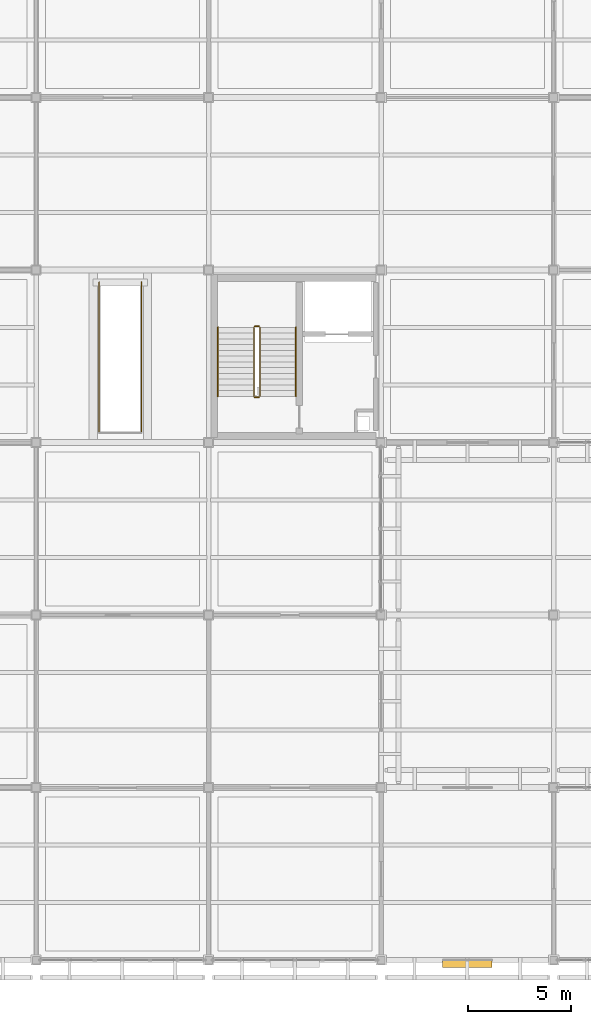
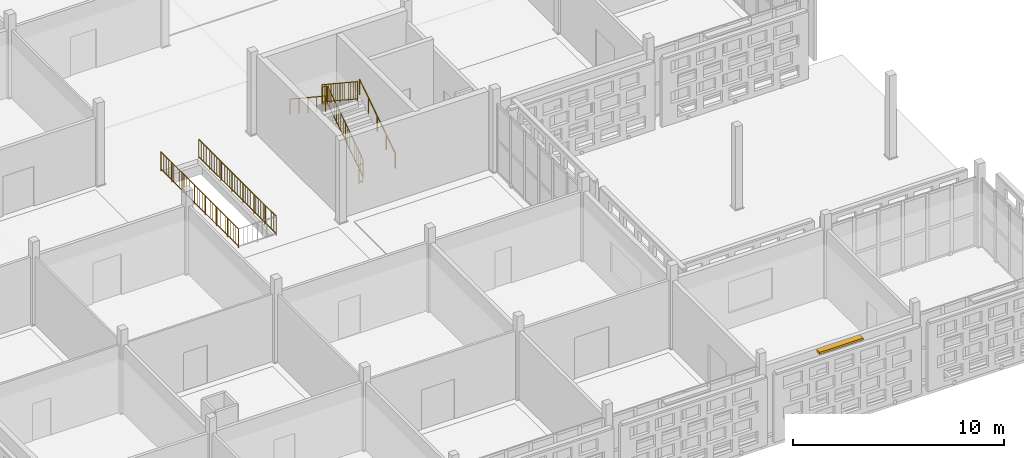
# One storey, part 184 of 203: 8 railings, 1 shading device.
"""IFC4 building model written with IfcOpenShell, lengths in metres."""

from ifc_helpers import new_model, si_unit, direction, frame, origin, origin_2d, place, context, subcontext, project, spatial, rectangle, circle, extrude, material, layer, layer_set, type_object, element, save


model = new_model("IFC4")

# Units and contexts
model_context = context("Model", 3, precision=1e-05, world=origin(), true_north=direction((0.0, 1.0)))
body_context = subcontext(model_context, "Body", "Model", "MODEL_VIEW")
ifc_project = project(units=[si_unit("LENGTHUNIT", "METRE"), si_unit("AREAUNIT", "SQUARE_METRE"), si_unit("VOLUMEUNIT", "CUBIC_METRE"), si_unit("PLANEANGLEUNIT", "RADIAN"), si_unit("MASSUNIT", "GRAM", prefix="KILO")], contexts=[model_context])

# Site, building, storey
site_placement = place(None, origin())
site = spatial("IfcSite", under=ifc_project, at=site_placement, CompositionType="ELEMENT")
building_placement = place(site_placement, origin())
building = spatial("IfcBuilding", under=site, at=building_placement, Name="Varnapada Polytechnic", CompositionType="ELEMENT")
storey_placement = place(building_placement, frame((0.0, 0.0, 4.800048828125)))
storey = spatial("IfcBuildingStorey", under=building, at=storey_placement, Name="L01", CompositionType="ELEMENT", Elevation=4.800048828125)

# Shading device
ifc_material_1 = material(Name="Anodised aluminium", Category="aluminium")
ifc_layer = layer(ifc_material_1, 0.35009765625)
ifc_layer_set = layer_set([ifc_layer], Name="Anodised aluminium")
shading_device_type = type_object("IfcShadingDeviceType", Name="Solar Louvre LVR-01", PredefinedType="JALOUSIE", material=ifc_layer_set)
shading_device_placement = place(storey_placement, frame((163.800048828125, -0.179931640625, 3.760009765625), z_axis=(0.0, 0.0, 1.0), x_axis=(-1.0, 0.0, 0.0)))
element("IfcShadingDevice", 1, at=shading_device_placement, inside=storey, type_object=shading_device_type, Name="L01 aluminium sun louvre 130", PredefinedType="JALOUSIE", context=body_context, shape_type="SweptSolid", body=[
    extrude(rectangle(XDim=2.39990234375, YDim=0.340087890625, at=origin_2d()), origin(), (0.0, 0.0, 1.0), 0.1201171875),
])

# Railings
ifc_material_2 = material(Name="Brushed Stainless Steel 316", Category="steel")
railing_type_1 = type_object("IfcRailingType", Name="Stair Wall Handrail SHR-01", PredefinedType="HANDRAIL", material=ifc_material_2)
railing_1_placement = place(storey_placement, frame((155.449951171875, 27.449951171875, 0.1845703125)))
element("IfcRailing", 2, at=railing_1_placement, inside=storey, type_object=railing_type_1, Name="L01 ST-6 stair handrail 1", PredefinedType="HANDRAIL", context=body_context, shape_type="SweptSolid", body=[
    extrude(circle(Radius=0.02392578125, at=origin_2d()), frame((0.0, 0.0, 0.8759765625), z_axis=(0.0, 0.834876476806, 0.550437342915), x_axis=(-1.0, 0.0, 0.0)), (0.0, 0.0, 1.0), 4.024658203125),
    extrude(circle(Radius=0.02099609375, at=origin_2d()), origin(), (0.0, 0.0, 1.0), 0.851806640625),
    extrude(circle(Radius=0.02099609375, at=origin_2d()), frame((0.0, 0.840087890625, 0.5537109375)), (0.0, 0.0, 1.0), 0.851806640625),
    extrude(circle(Radius=0.02099609375, at=origin_2d()), frame((0.0, 1.68017578125, 1.107666015625)), (0.0, 0.0, 1.0), 0.851806640625),
    extrude(circle(Radius=0.02099609375, at=origin_2d()), frame((0.0, 2.52001953125, 1.66162109375)), (0.0, 0.0, 1.0), 0.851806640625),
    extrude(circle(Radius=0.02099609375, at=origin_2d()), frame((0.0, 3.360107421875, 2.21533203125)), (0.0, 0.0, 1.0), 0.851806640625),
])
railing_2_placement = place(storey_placement, frame((151.64990234375, 30.81005859375, 2.58447265625)))
element("IfcRailing", 3, at=railing_2_placement, inside=storey, type_object=railing_type_1, Name="L01 ST-6 stair handrail 2", PredefinedType="HANDRAIL", context=body_context, shape_type="SweptSolid", body=[
    extrude(circle(Radius=0.02392578125, at=origin_2d()), frame((0.0, 0.0, 0.8759765625), z_axis=(0.0, -0.834848600103, 0.550479622607), x_axis=(1.0, 0.0, 0.0)), (0.0, 0.0, 1.0), 4.02490234375),
    extrude(circle(Radius=0.02099609375, at=origin_2d()), origin(), (0.0, 0.0, 1.0), 0.851806640625),
    extrude(circle(Radius=0.02099609375, at=origin_2d()), frame((0.0, -0.840087890625, 0.553955078125)), (0.0, 0.0, 1.0), 0.851806640625),
    extrude(circle(Radius=0.02099609375, at=origin_2d()), frame((0.0, -1.68017578125, 1.10791015625)), (0.0, 0.0, 1.0), 0.851806640625),
    extrude(circle(Radius=0.02099609375, at=origin_2d()), frame((0.0, -2.52001953125, 1.66162109375)), (0.0, 0.0, 1.0), 0.851806640625),
    extrude(circle(Radius=0.02099609375, at=origin_2d()), frame((0.0, -3.360107421875, 2.215576171875)), (0.0, 0.0, 1.0), 0.851806640625),
])
railing_type_2 = type_object("IfcRailingType", Name="Stair Well Guard Rail SGR-01", PredefinedType="BALUSTRADE", material=ifc_material_2)
railing_3_placement = place(storey_placement, frame((153.699951171875, 27.449951171875, 0.1845703125)))
element("IfcRailing", 4, at=railing_3_placement, inside=storey, type_object=railing_type_2, Name="L01 ST-6 stair guard 1", PredefinedType="BALUSTRADE", context=body_context, shape_type="SweptSolid", body=[
    extrude(circle(Radius=0.02392578125, at=origin_2d()), frame((0.0, 0.0, 1.09619140625), z_axis=(0.0, 0.834876476806, 0.550437342915), x_axis=(-1.0, 0.0, 0.0)), (0.0, 0.0, 1.0), 4.024658203125),
    extrude(circle(Radius=0.02392578125, at=origin_2d()), frame((0.0, 0.0, 0.10009765625), z_axis=(0.0, 0.834876476806, 0.550437342915), x_axis=(-1.0, 0.0, 0.0)), (0.0, 0.0, 1.0), 4.024658203125),
    extrude(circle(Radius=0.02099609375, at=origin_2d()), origin(), (0.0, 0.0, 1.0), 1.072021484375),
    extrude(circle(Radius=0.02099609375, at=origin_2d()), frame((0.0, 0.840087890625, 0.5537109375)), (0.0, 0.0, 1.0), 1.072021484375),
    extrude(circle(Radius=0.02099609375, at=origin_2d()), frame((0.0, 1.68017578125, 1.107666015625)), (0.0, 0.0, 1.0), 1.072021484375),
    extrude(circle(Radius=0.02099609375, at=origin_2d()), frame((0.0, 2.52001953125, 1.66162109375)), (0.0, 0.0, 1.0), 1.072021484375),
    extrude(circle(Radius=0.02099609375, at=origin_2d()), frame((0.0, 3.360107421875, 2.21533203125)), (0.0, 0.0, 1.0), 1.072021484375),
    extrude(circle(Radius=0.010009765625, at=origin_2d()), frame((0.0, 0.2099609375, 0.238525390625)), (0.0, 0.0, 1.0), 0.971923828125),
    extrude(circle(Radius=0.010009765625, at=origin_2d()), frame((0.0, 0.419921875, 0.376953125)), (0.0, 0.0, 1.0), 0.971923828125),
    extrude(circle(Radius=0.010009765625, at=origin_2d()), frame((0.0, 0.630126953125, 0.515380859375)), (0.0, 0.0, 1.0), 0.971923828125),
    extrude(circle(Radius=0.010009765625, at=origin_2d()), frame((0.0, 0.840087890625, 0.65380859375)), (0.0, 0.0, 1.0), 0.971923828125),
    extrude(circle(Radius=0.010009765625, at=origin_2d()), frame((0.0, 1.050048828125, 0.79248046875)), (0.0, 0.0, 1.0), 0.971923828125),
    extrude(circle(Radius=0.010009765625, at=origin_2d()), frame((0.0, 1.260009765625, 0.930908203125)), (0.0, 0.0, 1.0), 0.971923828125),
    extrude(circle(Radius=0.010009765625, at=origin_2d()), frame((0.0, 1.469970703125, 1.0693359375)), (0.0, 0.0, 1.0), 0.971923828125),
    extrude(circle(Radius=0.010009765625, at=origin_2d()), frame((0.0, 1.68017578125, 1.207763671875)), (0.0, 0.0, 1.0), 0.971923828125),
    extrude(circle(Radius=0.010009765625, at=origin_2d()), frame((0.0, 1.89013671875, 1.34619140625)), (0.0, 0.0, 1.0), 0.971923828125),
    extrude(circle(Radius=0.010009765625, at=origin_2d()), frame((0.0, 2.10009765625, 1.484619140625)), (0.0, 0.0, 1.0), 0.971923828125),
    extrude(circle(Radius=0.010009765625, at=origin_2d()), frame((0.0, 2.31005859375, 1.623046875)), (0.0, 0.0, 1.0), 0.971923828125),
    extrude(circle(Radius=0.010009765625, at=origin_2d()), frame((0.0, 2.52001953125, 1.76171875)), (0.0, 0.0, 1.0), 0.971923828125),
    extrude(circle(Radius=0.010009765625, at=origin_2d()), frame((0.0, 2.72998046875, 1.900146484375)), (0.0, 0.0, 1.0), 0.971923828125),
    extrude(circle(Radius=0.010009765625, at=origin_2d()), frame((0.0, 2.940185546875, 2.03857421875)), (0.0, 0.0, 1.0), 0.971923828125),
    extrude(circle(Radius=0.010009765625, at=origin_2d()), frame((0.0, 3.150146484375, 2.177001953125)), (0.0, 0.0, 1.0), 0.971923828125),
])
railing_4_placement = place(storey_placement, frame((153.64990234375, 30.860107421875, 2.39990234375)))
element("IfcRailing", 5, at=railing_4_placement, inside=storey, type_object=railing_type_2, Name="L01 ST-6 stair guard 2", PredefinedType="BALUSTRADE", context=body_context, shape_type="SweptSolid", body=[
    extrude(circle(Radius=0.02392578125, at=origin_2d()), frame((0.0, 0.0, 1.09619140625), z_axis=(-1.0, 0.0, 0.0), x_axis=(0.0, -1.0, 0.0)), (0.0, 0.0, 1.0), 0.199951171875),
    extrude(circle(Radius=0.02392578125, at=origin_2d()), frame((0.0, 0.0, 0.10009765625), z_axis=(-1.0, 0.0, 0.0), x_axis=(0.0, -1.0, 0.0)), (0.0, 0.0, 1.0), 0.199951171875),
    extrude(circle(Radius=0.02099609375, at=origin_2d()), origin(), (0.0, 0.0, 1.0), 1.072021484375),
    extrude(circle(Radius=0.02099609375, at=origin_2d()), frame((-0.199951171875, 0.0, 0.0)), (0.0, 0.0, 1.0), 1.072021484375),
])
railing_5_placement = place(storey_placement, frame((153.39990234375, 30.81005859375, 2.58447265625)))
element("IfcRailing", 6, at=railing_5_placement, inside=storey, type_object=railing_type_2, Name="L01 ST-6 stair guard 3", PredefinedType="BALUSTRADE", context=body_context, shape_type="SweptSolid", body=[
    extrude(circle(Radius=0.02392578125, at=origin_2d()), frame((0.0, 0.0, 1.09619140625), z_axis=(0.0, -0.834848600103, 0.550479622607), x_axis=(1.0, 0.0, 0.0)), (0.0, 0.0, 1.0), 4.02490234375),
    extrude(circle(Radius=0.02392578125, at=origin_2d()), frame((0.0, 0.0, 0.10009765625), z_axis=(0.0, -0.834848600103, 0.550479622607), x_axis=(1.0, 0.0, 0.0)), (0.0, 0.0, 1.0), 4.02490234375),
    extrude(circle(Radius=0.02099609375, at=origin_2d()), origin(), (0.0, 0.0, 1.0), 1.072021484375),
    extrude(circle(Radius=0.02099609375, at=origin_2d()), frame((0.0, -0.840087890625, 0.553955078125)), (0.0, 0.0, 1.0), 1.072021484375),
    extrude(circle(Radius=0.02099609375, at=origin_2d()), frame((0.0, -1.68017578125, 1.10791015625)), (0.0, 0.0, 1.0), 1.072021484375),
    extrude(circle(Radius=0.02099609375, at=origin_2d()), frame((0.0, -2.52001953125, 1.66162109375)), (0.0, 0.0, 1.0), 1.072021484375),
    extrude(circle(Radius=0.02099609375, at=origin_2d()), frame((0.0, -3.360107421875, 2.215576171875)), (0.0, 0.0, 1.0), 1.072021484375),
    extrude(circle(Radius=0.010009765625, at=origin_2d()), frame((0.0, -0.2099609375, 0.238525390625)), (0.0, 0.0, 1.0), 0.971923828125),
    extrude(circle(Radius=0.010009765625, at=origin_2d()), frame((0.0, -0.419921875, 0.376953125)), (0.0, 0.0, 1.0), 0.971923828125),
    extrude(circle(Radius=0.010009765625, at=origin_2d()), frame((0.0, -0.630126953125, 0.515625)), (0.0, 0.0, 1.0), 0.971923828125),
    extrude(circle(Radius=0.010009765625, at=origin_2d()), frame((0.0, -0.840087890625, 0.654052734375)), (0.0, 0.0, 1.0), 0.971923828125),
    extrude(circle(Radius=0.010009765625, at=origin_2d()), frame((0.0, -1.050048828125, 0.79248046875)), (0.0, 0.0, 1.0), 0.971923828125),
    extrude(circle(Radius=0.010009765625, at=origin_2d()), frame((0.0, -1.260009765625, 0.930908203125)), (0.0, 0.0, 1.0), 0.971923828125),
    extrude(circle(Radius=0.010009765625, at=origin_2d()), frame((0.0, -1.469970703125, 1.0693359375)), (0.0, 0.0, 1.0), 0.971923828125),
    extrude(circle(Radius=0.010009765625, at=origin_2d()), frame((0.0, -1.68017578125, 1.2080078125)), (0.0, 0.0, 1.0), 0.971923828125),
    extrude(circle(Radius=0.010009765625, at=origin_2d()), frame((0.0, -1.89013671875, 1.346435546875)), (0.0, 0.0, 1.0), 0.971923828125),
    extrude(circle(Radius=0.010009765625, at=origin_2d()), frame((0.0, -2.10009765625, 1.48486328125)), (0.0, 0.0, 1.0), 0.971923828125),
    extrude(circle(Radius=0.010009765625, at=origin_2d()), frame((0.0, -2.31005859375, 1.623291015625)), (0.0, 0.0, 1.0), 0.971923828125),
    extrude(circle(Radius=0.010009765625, at=origin_2d()), frame((0.0, -2.52001953125, 1.76171875)), (0.0, 0.0, 1.0), 0.971923828125),
    extrude(circle(Radius=0.010009765625, at=origin_2d()), frame((0.0, -2.72998046875, 1.900146484375)), (0.0, 0.0, 1.0), 0.971923828125),
    extrude(circle(Radius=0.010009765625, at=origin_2d()), frame((0.0, -2.940185546875, 2.038818359375)), (0.0, 0.0, 1.0), 0.971923828125),
    extrude(circle(Radius=0.010009765625, at=origin_2d()), frame((0.0, -3.150146484375, 2.17724609375)), (0.0, 0.0, 1.0), 0.971923828125),
])
railing_6_placement = place(storey_placement, frame((153.64990234375, 27.39990234375, 0.0)))
element("IfcRailing", 7, at=railing_6_placement, inside=storey, type_object=railing_type_2, Name="L01 ST-6 stair guard 4", PredefinedType="BALUSTRADE", context=body_context, shape_type="SweptSolid", body=[
    extrude(circle(Radius=0.02392578125, at=origin_2d()), frame((0.0, 0.0, 1.09619140625), z_axis=(-1.0, 0.0, 0.0), x_axis=(0.0, -1.0, 0.0)), (0.0, 0.0, 1.0), 0.199951171875),
    extrude(circle(Radius=0.02392578125, at=origin_2d()), frame((0.0, 0.0, 0.10009765625), z_axis=(-1.0, 0.0, 0.0), x_axis=(0.0, -1.0, 0.0)), (0.0, 0.0, 1.0), 0.199951171875),
    extrude(circle(Radius=0.02099609375, at=origin_2d()), origin(), (0.0, 0.0, 1.0), 1.072021484375),
    extrude(circle(Radius=0.02099609375, at=origin_2d()), frame((-0.199951171875, 0.0, 0.0)), (0.0, 0.0, 1.0), 1.072021484375),
])
railing_7_placement = place(storey_placement, frame((145.8701171875, 25.679931640625, 0.0)))
element("IfcRailing", 8, at=railing_7_placement, inside=storey, type_object=railing_type_2, Name="L01 commons stair ST-F2 well guard 1", PredefinedType="BALUSTRADE", context=body_context, shape_type="SweptSolid", body=[
    extrude(circle(Radius=0.02392578125, at=origin_2d()), frame((0.0, 0.0, 1.09619140625), z_axis=(0.0, 1.0, 0.0), x_axis=(-1.0, 0.0, 0.0)), (0.0, 0.0, 1.0), 7.340087890625),
    extrude(circle(Radius=0.02392578125, at=origin_2d()), frame((0.0, 0.0, 0.10009765625), z_axis=(0.0, 1.0, 0.0), x_axis=(-1.0, 0.0, 0.0)), (0.0, 0.0, 1.0), 7.340087890625),
    extrude(circle(Radius=0.02099609375, at=origin_2d()), origin(), (0.0, 0.0, 1.0), 1.072021484375),
    extrude(circle(Radius=0.02099609375, at=origin_2d()), frame((0.0, 1.048583984375, 0.0)), (0.0, 0.0, 1.0), 1.072021484375),
    extrude(circle(Radius=0.02099609375, at=origin_2d()), frame((0.0, 2.09716796875, 0.0)), (0.0, 0.0, 1.0), 1.072021484375),
    extrude(circle(Radius=0.02099609375, at=origin_2d()), frame((0.0, 3.145751953125, 0.0)), (0.0, 0.0, 1.0), 1.072021484375),
    extrude(circle(Radius=0.02099609375, at=origin_2d()), frame((0.0, 4.1943359375, 0.0)), (0.0, 0.0, 1.0), 1.072021484375),
    extrude(circle(Radius=0.02099609375, at=origin_2d()), frame((0.0, 5.242919921875, 0.0)), (0.0, 0.0, 1.0), 1.072021484375),
    extrude(circle(Radius=0.02099609375, at=origin_2d()), frame((0.0, 6.29150390625, 0.0)), (0.0, 0.0, 1.0), 1.072021484375),
    extrude(circle(Radius=0.02099609375, at=origin_2d()), frame((0.0, 7.340087890625, 0.0)), (0.0, 0.0, 1.0), 1.072021484375),
    extrude(circle(Radius=0.010009765625, at=origin_2d()), frame((0.0, 0.24462890625, 0.10009765625)), (0.0, 0.0, 1.0), 0.971923828125),
    extrude(circle(Radius=0.010009765625, at=origin_2d()), frame((0.0, 0.4892578125, 0.10009765625)), (0.0, 0.0, 1.0), 0.971923828125),
    extrude(circle(Radius=0.010009765625, at=origin_2d()), frame((0.0, 0.73388671875, 0.10009765625)), (0.0, 0.0, 1.0), 0.971923828125),
    extrude(circle(Radius=0.010009765625, at=origin_2d()), frame((0.0, 0.978759765625, 0.10009765625)), (0.0, 0.0, 1.0), 0.971923828125),
    extrude(circle(Radius=0.010009765625, at=origin_2d()), frame((0.0, 1.223388671875, 0.10009765625)), (0.0, 0.0, 1.0), 0.971923828125),
    extrude(circle(Radius=0.010009765625, at=origin_2d()), frame((0.0, 1.468017578125, 0.10009765625)), (0.0, 0.0, 1.0), 0.971923828125),
    extrude(circle(Radius=0.010009765625, at=origin_2d()), frame((0.0, 1.712646484375, 0.10009765625)), (0.0, 0.0, 1.0), 0.971923828125),
    extrude(circle(Radius=0.010009765625, at=origin_2d()), frame((0.0, 1.957275390625, 0.10009765625)), (0.0, 0.0, 1.0), 0.971923828125),
    extrude(circle(Radius=0.010009765625, at=origin_2d()), frame((0.0, 2.2021484375, 0.10009765625)), (0.0, 0.0, 1.0), 0.971923828125),
    extrude(circle(Radius=0.010009765625, at=origin_2d()), frame((0.0, 2.44677734375, 0.10009765625)), (0.0, 0.0, 1.0), 0.971923828125),
    extrude(circle(Radius=0.010009765625, at=origin_2d()), frame((0.0, 2.69140625, 0.10009765625)), (0.0, 0.0, 1.0), 0.971923828125),
    extrude(circle(Radius=0.010009765625, at=origin_2d()), frame((0.0, 2.93603515625, 0.10009765625)), (0.0, 0.0, 1.0), 0.971923828125),
    extrude(circle(Radius=0.010009765625, at=origin_2d()), frame((0.0, 3.1806640625, 0.10009765625)), (0.0, 0.0, 1.0), 0.971923828125),
    extrude(circle(Radius=0.010009765625, at=origin_2d()), frame((0.0, 3.42529296875, 0.10009765625)), (0.0, 0.0, 1.0), 0.971923828125),
    extrude(circle(Radius=0.010009765625, at=origin_2d()), frame((0.0, 3.669921875, 0.10009765625)), (0.0, 0.0, 1.0), 0.971923828125),
    extrude(circle(Radius=0.010009765625, at=origin_2d()), frame((0.0, 3.914794921875, 0.10009765625)), (0.0, 0.0, 1.0), 0.971923828125),
    extrude(circle(Radius=0.010009765625, at=origin_2d()), frame((0.0, 4.159423828125, 0.10009765625)), (0.0, 0.0, 1.0), 0.971923828125),
    extrude(circle(Radius=0.010009765625, at=origin_2d()), frame((0.0, 4.404052734375, 0.10009765625)), (0.0, 0.0, 1.0), 0.971923828125),
    extrude(circle(Radius=0.010009765625, at=origin_2d()), frame((0.0, 4.648681640625, 0.10009765625)), (0.0, 0.0, 1.0), 0.971923828125),
    extrude(circle(Radius=0.010009765625, at=origin_2d()), frame((0.0, 4.893310546875, 0.10009765625)), (0.0, 0.0, 1.0), 0.971923828125),
    extrude(circle(Radius=0.010009765625, at=origin_2d()), frame((0.0, 5.13818359375, 0.10009765625)), (0.0, 0.0, 1.0), 0.971923828125),
    extrude(circle(Radius=0.010009765625, at=origin_2d()), frame((0.0, 5.3828125, 0.10009765625)), (0.0, 0.0, 1.0), 0.971923828125),
    extrude(circle(Radius=0.010009765625, at=origin_2d()), frame((0.0, 5.62744140625, 0.10009765625)), (0.0, 0.0, 1.0), 0.971923828125),
    extrude(circle(Radius=0.010009765625, at=origin_2d()), frame((0.0, 5.8720703125, 0.10009765625)), (0.0, 0.0, 1.0), 0.971923828125),
    extrude(circle(Radius=0.010009765625, at=origin_2d()), frame((0.0, 6.11669921875, 0.10009765625)), (0.0, 0.0, 1.0), 0.971923828125),
    extrude(circle(Radius=0.010009765625, at=origin_2d()), frame((0.0, 6.361328125, 0.10009765625)), (0.0, 0.0, 1.0), 0.971923828125),
    extrude(circle(Radius=0.010009765625, at=origin_2d()), frame((0.0, 6.60595703125, 0.10009765625)), (0.0, 0.0, 1.0), 0.971923828125),
    extrude(circle(Radius=0.010009765625, at=origin_2d()), frame((0.0, 6.850830078125, 0.10009765625)), (0.0, 0.0, 1.0), 0.971923828125),
    extrude(circle(Radius=0.010009765625, at=origin_2d()), frame((0.0, 7.095458984375, 0.10009765625)), (0.0, 0.0, 1.0), 0.971923828125),
])
railing_8_placement = place(storey_placement, frame((147.929931640625, 25.679931640625, 0.0)))
element("IfcRailing", 9, at=railing_8_placement, inside=storey, type_object=railing_type_2, Name="L01 commons stair ST-F2 well guard 2", PredefinedType="BALUSTRADE", context=body_context, shape_type="SweptSolid", body=[
    extrude(circle(Radius=0.02392578125, at=origin_2d()), frame((0.0, 0.0, 1.09619140625), z_axis=(0.0, 1.0, 0.0), x_axis=(-1.0, 0.0, 0.0)), (0.0, 0.0, 1.0), 7.340087890625),
    extrude(circle(Radius=0.02392578125, at=origin_2d()), frame((0.0, 0.0, 0.10009765625), z_axis=(0.0, 1.0, 0.0), x_axis=(-1.0, 0.0, 0.0)), (0.0, 0.0, 1.0), 7.340087890625),
    extrude(circle(Radius=0.02099609375, at=origin_2d()), origin(), (0.0, 0.0, 1.0), 1.072021484375),
    extrude(circle(Radius=0.02099609375, at=origin_2d()), frame((0.0, 1.048583984375, 0.0)), (0.0, 0.0, 1.0), 1.072021484375),
    extrude(circle(Radius=0.02099609375, at=origin_2d()), frame((0.0, 2.09716796875, 0.0)), (0.0, 0.0, 1.0), 1.072021484375),
    extrude(circle(Radius=0.02099609375, at=origin_2d()), frame((0.0, 3.145751953125, 0.0)), (0.0, 0.0, 1.0), 1.072021484375),
    extrude(circle(Radius=0.02099609375, at=origin_2d()), frame((0.0, 4.1943359375, 0.0)), (0.0, 0.0, 1.0), 1.072021484375),
    extrude(circle(Radius=0.02099609375, at=origin_2d()), frame((0.0, 5.242919921875, 0.0)), (0.0, 0.0, 1.0), 1.072021484375),
    extrude(circle(Radius=0.02099609375, at=origin_2d()), frame((0.0, 6.29150390625, 0.0)), (0.0, 0.0, 1.0), 1.072021484375),
    extrude(circle(Radius=0.02099609375, at=origin_2d()), frame((0.0, 7.340087890625, 0.0)), (0.0, 0.0, 1.0), 1.072021484375),
    extrude(circle(Radius=0.010009765625, at=origin_2d()), frame((0.0, 0.24462890625, 0.10009765625)), (0.0, 0.0, 1.0), 0.971923828125),
    extrude(circle(Radius=0.010009765625, at=origin_2d()), frame((0.0, 0.4892578125, 0.10009765625)), (0.0, 0.0, 1.0), 0.971923828125),
    extrude(circle(Radius=0.010009765625, at=origin_2d()), frame((0.0, 0.73388671875, 0.10009765625)), (0.0, 0.0, 1.0), 0.971923828125),
    extrude(circle(Radius=0.010009765625, at=origin_2d()), frame((0.0, 0.978759765625, 0.10009765625)), (0.0, 0.0, 1.0), 0.971923828125),
    extrude(circle(Radius=0.010009765625, at=origin_2d()), frame((0.0, 1.223388671875, 0.10009765625)), (0.0, 0.0, 1.0), 0.971923828125),
    extrude(circle(Radius=0.010009765625, at=origin_2d()), frame((0.0, 1.468017578125, 0.10009765625)), (0.0, 0.0, 1.0), 0.971923828125),
    extrude(circle(Radius=0.010009765625, at=origin_2d()), frame((0.0, 1.712646484375, 0.10009765625)), (0.0, 0.0, 1.0), 0.971923828125),
    extrude(circle(Radius=0.010009765625, at=origin_2d()), frame((0.0, 1.957275390625, 0.10009765625)), (0.0, 0.0, 1.0), 0.971923828125),
    extrude(circle(Radius=0.010009765625, at=origin_2d()), frame((0.0, 2.2021484375, 0.10009765625)), (0.0, 0.0, 1.0), 0.971923828125),
    extrude(circle(Radius=0.010009765625, at=origin_2d()), frame((0.0, 2.44677734375, 0.10009765625)), (0.0, 0.0, 1.0), 0.971923828125),
    extrude(circle(Radius=0.010009765625, at=origin_2d()), frame((0.0, 2.69140625, 0.10009765625)), (0.0, 0.0, 1.0), 0.971923828125),
    extrude(circle(Radius=0.010009765625, at=origin_2d()), frame((0.0, 2.93603515625, 0.10009765625)), (0.0, 0.0, 1.0), 0.971923828125),
    extrude(circle(Radius=0.010009765625, at=origin_2d()), frame((0.0, 3.1806640625, 0.10009765625)), (0.0, 0.0, 1.0), 0.971923828125),
    extrude(circle(Radius=0.010009765625, at=origin_2d()), frame((0.0, 3.42529296875, 0.10009765625)), (0.0, 0.0, 1.0), 0.971923828125),
    extrude(circle(Radius=0.010009765625, at=origin_2d()), frame((0.0, 3.669921875, 0.10009765625)), (0.0, 0.0, 1.0), 0.971923828125),
    extrude(circle(Radius=0.010009765625, at=origin_2d()), frame((0.0, 3.914794921875, 0.10009765625)), (0.0, 0.0, 1.0), 0.971923828125),
    extrude(circle(Radius=0.010009765625, at=origin_2d()), frame((0.0, 4.159423828125, 0.10009765625)), (0.0, 0.0, 1.0), 0.971923828125),
    extrude(circle(Radius=0.010009765625, at=origin_2d()), frame((0.0, 4.404052734375, 0.10009765625)), (0.0, 0.0, 1.0), 0.971923828125),
    extrude(circle(Radius=0.010009765625, at=origin_2d()), frame((0.0, 4.648681640625, 0.10009765625)), (0.0, 0.0, 1.0), 0.971923828125),
    extrude(circle(Radius=0.010009765625, at=origin_2d()), frame((0.0, 4.893310546875, 0.10009765625)), (0.0, 0.0, 1.0), 0.971923828125),
    extrude(circle(Radius=0.010009765625, at=origin_2d()), frame((0.0, 5.13818359375, 0.10009765625)), (0.0, 0.0, 1.0), 0.971923828125),
    extrude(circle(Radius=0.010009765625, at=origin_2d()), frame((0.0, 5.3828125, 0.10009765625)), (0.0, 0.0, 1.0), 0.971923828125),
    extrude(circle(Radius=0.010009765625, at=origin_2d()), frame((0.0, 5.62744140625, 0.10009765625)), (0.0, 0.0, 1.0), 0.971923828125),
    extrude(circle(Radius=0.010009765625, at=origin_2d()), frame((0.0, 5.8720703125, 0.10009765625)), (0.0, 0.0, 1.0), 0.971923828125),
    extrude(circle(Radius=0.010009765625, at=origin_2d()), frame((0.0, 6.11669921875, 0.10009765625)), (0.0, 0.0, 1.0), 0.971923828125),
    extrude(circle(Radius=0.010009765625, at=origin_2d()), frame((0.0, 6.361328125, 0.10009765625)), (0.0, 0.0, 1.0), 0.971923828125),
    extrude(circle(Radius=0.010009765625, at=origin_2d()), frame((0.0, 6.60595703125, 0.10009765625)), (0.0, 0.0, 1.0), 0.971923828125),
    extrude(circle(Radius=0.010009765625, at=origin_2d()), frame((0.0, 6.850830078125, 0.10009765625)), (0.0, 0.0, 1.0), 0.971923828125),
    extrude(circle(Radius=0.010009765625, at=origin_2d()), frame((0.0, 7.095458984375, 0.10009765625)), (0.0, 0.0, 1.0), 0.971923828125),
])

save(model, "model.ifc")
